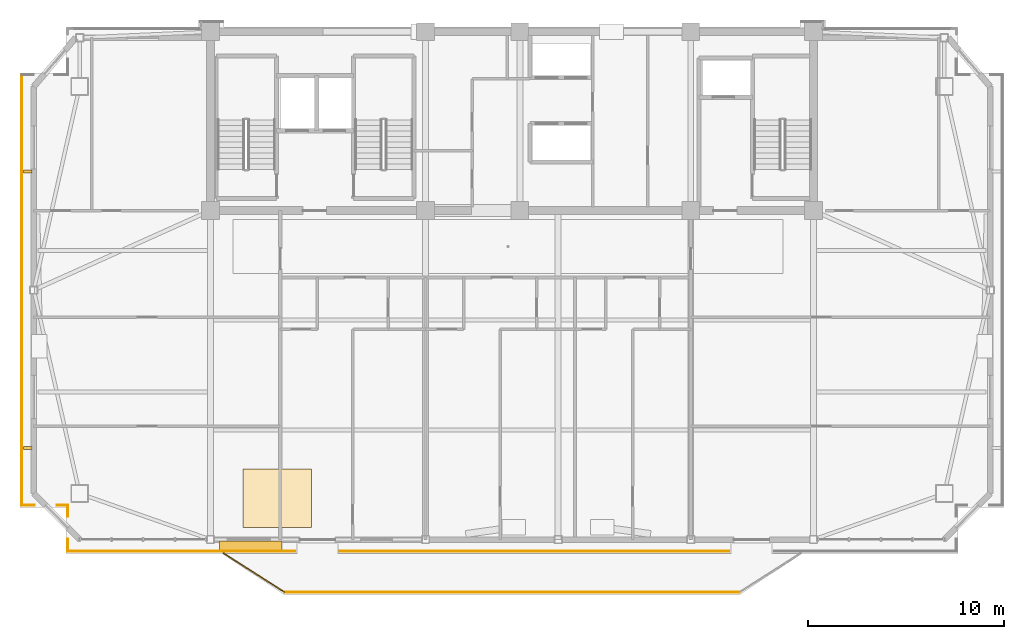
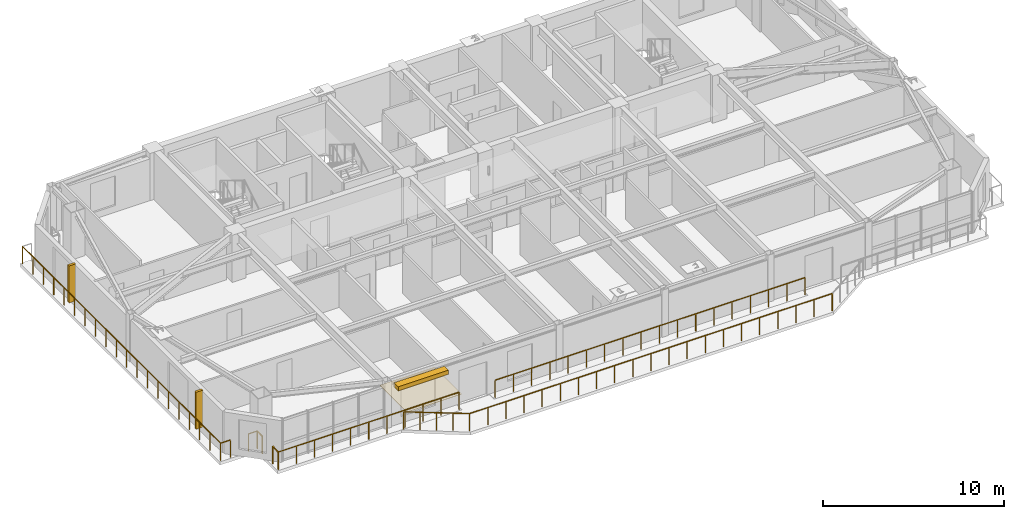
# One storey, part 11 of 14: 9 railings, 3 shading devices, 1 covering.
"""IFC4 building model written with IfcOpenShell, lengths in metres."""

import ifcopenshell
import ifcopenshell.guid

model = None  # the IFC model being written
_history = None  # IfcOwnerHistory: only IFC2X3 demands one
_inside = {}  # id of a spatial element -> (the spatial element, [elements in it])
_under = {}  # id of a project, library or spatial element -> (it, [spatial elements below it])
_declared = {}  # id of a project -> (the project, [libraries it declares])
_typed = {}  # id of a type object -> (the type object, [elements of that type])
_made_of = {}  # id of a material, layer set ... -> (it, [elements and type objects made of it])


def new_model(schema):
    """Start an empty IFC model of exactly this schema.

    Asked for "IFC4X3", IfcOpenShell would pick the latest addendum, in which some entities
    have other attributes; the version numbers below select the first issue.
    IFC2X3 requires an IfcOwnerHistory on every rooted entity: one is made here for all.
    """
    global model, _history
    if schema == "IFC4X3":
        model = ifcopenshell.file(schema_version=(4, 3, 0, 0))
    else:
        model = ifcopenshell.file(schema=schema)
    _inside.clear()
    _under.clear()
    _declared.clear()
    _typed.clear()
    _made_of.clear()
    _history = None
    if model.schema == "IFC2X3":
        org = make("IfcOrganization", Name="unknown")
        user = make(
            "IfcPersonAndOrganization",
            ThePerson=make("IfcPerson", FamilyName="unknown"),
            TheOrganization=org,
        )
        app = make(
            "IfcApplication",
            ApplicationDeveloper=org,
            Version="unknown",
            ApplicationFullName="unknown",
            ApplicationIdentifier="unknown",
        )
        _history = make(
            "IfcOwnerHistory",
            OwningUser=user,
            OwningApplication=app,
            ChangeAction="ADDED",
            CreationDate=0,
        )
    return model


def make(cls, **values):
    """One entity of the class cls with the attributes given. An attribute that is None is left unset."""
    return model.create_entity(
        cls, **{name: value for name, value in values.items() if value is not None}
    )


def rooted(cls, **values):
    """An entity with a GlobalId (a new one), such as an element, a storey or a relation."""
    return make(cls, GlobalId=ifcopenshell.guid.new(), OwnerHistory=_history, **values)


def si_unit(unit_type, name, prefix=None):
    """IfcSIUnit, for example si_unit("LENGTHUNIT", "METRE", prefix="MILLI")."""
    return make("IfcSIUnit", UnitType=unit_type, Prefix=prefix, Name=name)


def assignment(units):
    """IfcUnitAssignment: the units of a project."""
    return None if units is None else make("IfcUnitAssignment", Units=units)


def point(xyz):
    """IfcCartesianPoint."""
    return None if xyz is None else make("IfcCartesianPoint", Coordinates=xyz)


def direction(xyz):
    """IfcDirection."""
    return None if xyz is None else make("IfcDirection", DirectionRatios=xyz)


def frame(location, z_axis=None, x_axis=None):
    """IfcAxis2Placement3D, a coordinate frame: its origin and axes. An axis left out is left unset."""
    return make(
        "IfcAxis2Placement3D",
        Location=point(location),
        Axis=direction(z_axis),
        RefDirection=direction(x_axis),
    )


def frame_2d(location, x_axis=None):
    """IfcAxis2Placement2D, a coordinate frame in the plane: its origin and x axis."""
    return make(
        "IfcAxis2Placement2D", Location=point(location), RefDirection=direction(x_axis)
    )


def origin():
    """The frame at (0, 0, 0) with its axes left unset."""
    return frame((0.0, 0.0, 0.0))


def origin_2d():
    """The frame at (0, 0) in the plane with its x axis left unset."""
    return frame_2d((0.0, 0.0))


def place(relative_to, where):
    """IfcLocalPlacement: puts the frame where relative to a parent placement (None: the world)."""
    return make(
        "IfcLocalPlacement", PlacementRelTo=relative_to, RelativePlacement=where
    )


def context(
    kind, dimensions, precision=None, world=None, true_north=None, identifier=None
):
    """IfcGeometricRepresentationContext, for example the 3D "Model" context."""
    return make(
        "IfcGeometricRepresentationContext",
        ContextIdentifier=identifier,
        ContextType=kind,
        CoordinateSpaceDimension=dimensions,
        Precision=precision,
        WorldCoordinateSystem=world,
        TrueNorth=true_north,
    )


def subcontext(parent, identifier, kind, view, scale=None):
    """IfcGeometricRepresentationSubContext, for example "Body" below "Model"."""
    return make(
        "IfcGeometricRepresentationSubContext",
        ContextIdentifier=identifier,
        ContextType=kind,
        ParentContext=parent,
        TargetScale=scale,
        TargetView=view,
    )


def project(units=None, contexts=None):
    """IfcProject with its units and contexts."""
    return rooted(
        "IfcProject",
        Name="project",
        RepresentationContexts=contexts,
        UnitsInContext=assignment(units),
    )


def spatial(cls, under=None, at=None, **own):
    """A site, building, storey or space (cls), placed at a placement, below another one or the project."""
    s = rooted(cls, ObjectPlacement=at, **own)
    if under is not None:
        _under.setdefault(under.id(), (under, []))[1].append(s)
    return s


def polyline(points):
    """IfcPolyline through the points."""
    return make("IfcPolyline", Points=[point(p) for p in points])


def profile(cls, at=None, kind="AREA", **sizes):
    """A parametric profile (cls). Its sizes go by their IFC names, for example OverallWidth=200.0."""
    return make(cls, ProfileType=kind, Position=at, **sizes)


def rectangle(**sizes):
    """IfcRectangleProfileDef."""
    return profile("IfcRectangleProfileDef", **sizes)


def outline(outer, holes=None, kind="AREA"):
    """IfcArbitraryClosedProfileDef: a profile drawn as a closed curve; with holes, ...WithVoids."""
    if holes is None:
        return make("IfcArbitraryClosedProfileDef", ProfileType=kind, OuterCurve=outer)
    return make(
        "IfcArbitraryProfileDefWithVoids",
        ProfileType=kind,
        OuterCurve=outer,
        InnerCurves=holes,
    )


def extrude(swept, where, along, depth):
    """IfcExtrudedAreaSolid: the profile swept, set in the frame where, extruded along a direction by depth."""
    return make(
        "IfcExtrudedAreaSolid",
        SweptArea=swept,
        Position=where,
        ExtrudedDirection=direction(along),
        Depth=depth,
    )


def shape(context_of_items, identifier, shape_type, items):
    """IfcShapeRepresentation: the items that make up one representation, for example the "Body"."""
    return make(
        "IfcShapeRepresentation",
        ContextOfItems=context_of_items,
        RepresentationIdentifier=identifier,
        RepresentationType=shape_type,
        Items=items,
    )


def source(mapping_origin, context_of_items, identifier, shape_type, items):
    """IfcRepresentationMap: a shape defined once, which mapped items show again and again."""
    return make(
        "IfcRepresentationMap",
        MappingOrigin=mapping_origin,
        MappedRepresentation=shape(context_of_items, identifier, shape_type, items),
    )


def transform(
    local_origin,
    x_axis=None,
    y_axis=None,
    z_axis=None,
    scale=None,
    scale2=None,
    scale3=None,
    uniform=True,
):
    """IfcCartesianTransformationOperator3D, or its non-uniform kind. x_axis, y_axis, z_axis: its Axis1, 2, 3."""
    if uniform:
        return make(
            "IfcCartesianTransformationOperator3D",
            Axis1=direction(x_axis),
            Axis2=direction(y_axis),
            LocalOrigin=point(local_origin),
            Scale=scale,
            Axis3=direction(z_axis),
        )
    return make(
        "IfcCartesianTransformationOperator3DnonUniform",
        Axis1=direction(x_axis),
        Axis2=direction(y_axis),
        LocalOrigin=point(local_origin),
        Scale=scale,
        Axis3=direction(z_axis),
        Scale2=scale2,
        Scale3=scale3,
    )


def mapped(mapping_source, mapping_target):
    """IfcMappedItem: shows the shape of a source again, moved by a transform."""
    return make(
        "IfcMappedItem", MappingSource=mapping_source, MappingTarget=mapping_target
    )


def material(Name=None, Category=None):
    """IfcMaterial."""
    return make("IfcMaterial", Name=Name, Category=Category)


def layer(
    of_material, thickness, ventilated=None, Name=None, Category=None, Priority=None
):
    """IfcMaterialLayer: one layer of a wall or slab, of a material (None: an air gap)."""
    return make(
        "IfcMaterialLayer",
        Material=of_material,
        LayerThickness=thickness,
        IsVentilated=ventilated,
        Name=Name,
        Category=Category,
        Priority=Priority,
    )


def layer_set(layers, Name=None):
    """IfcMaterialLayerSet."""
    return make("IfcMaterialLayerSet", MaterialLayers=layers, LayerSetName=Name)


def made_of(thing, what):
    """Note that an element or type object is made of a material, layer set ...; save() writes the relation."""
    if what is not None:
        _made_of.setdefault(what.id(), (what, []))[1].append(thing)
    return thing


def type_object(cls, material=None, **own):
    """A type object (cls), such as IfcWallType, which elements share."""
    return made_of(rooted(cls, **own), material)


def element(
    cls,
    number,
    at=None,
    inside=None,
    cuts=None,
    type_object=None,
    material=None,
    context=None,
    identifier="Body",
    shape_type=None,
    held_by="IfcProductDefinitionShape",
    body=None,
    shapes=None,
    **own,
):
    """One element of the class cls, such as IfcWall. Its Tag is "e" and its number.

    at: its placement. inside: the storey or other place that contains it. cuts: it is an
    opening in that element (IfcRelVoidsElement). A single representation is given by context,
    identifier, shape_type and body (its items); several are given by shapes. held_by: the class
    of the entity that holds the representations. save() writes the other relations.
    """
    e = rooted(cls, Tag="e%d" % number, ObjectPlacement=at, **own)
    if body is not None:
        shapes = [shape(context, identifier, shape_type, body)]
    if shapes is not None:
        e.Representation = make(held_by, Representations=shapes)
    if inside is not None:
        _inside.setdefault(inside.id(), (inside, []))[1].append(e)
    if cuts is not None:
        rooted(
            "IfcRelVoidsElement", RelatingBuildingElement=cuts, RelatedOpeningElement=e
        )
    if type_object is not None:
        _typed.setdefault(type_object.id(), (type_object, []))[1].append(e)
    return made_of(e, material)


def aggregate(whole, parts):
    """IfcRelAggregates: a whole, such as a stair, and the parts it consists of."""
    return rooted("IfcRelAggregates", RelatingObject=whole, RelatedObjects=parts)


def save(model, path):
    """Write the relations noted so far, then the file.

    IfcRelAggregates (storeys below a building ...), IfcRelContainedInSpatialStructure (elements
    in a storey), IfcRelDefinesByType, IfcRelAssociatesMaterial and IfcRelDeclares: one each for
    every whole, place, type object, material and project.
    """
    for whole, parts in _under.values():
        aggregate(whole, parts)
    for where, things in _inside.values():
        rooted(
            "IfcRelContainedInSpatialStructure",
            RelatedElements=things,
            RelatingStructure=where,
        )
    for kind, things in _typed.values():
        rooted("IfcRelDefinesByType", RelatedObjects=things, RelatingType=kind)
    for what, things in _made_of.values():
        rooted("IfcRelAssociatesMaterial", RelatedObjects=things, RelatingMaterial=what)
    for by, libraries in _declared.values():
        rooted("IfcRelDeclares", RelatingContext=by, RelatedDefinitions=libraries)
    model.write(path)


model = new_model("IFC4")

# Units and contexts
model_context = context("Model", 3, precision=1e-05, world=origin(), true_north=direction((0.0, 1.0)))
body_context = subcontext(model_context, "Body", "Model", "MODEL_VIEW")
ifc_project = project(units=[si_unit("LENGTHUNIT", "METRE"), si_unit("AREAUNIT", "SQUARE_METRE"), si_unit("VOLUMEUNIT", "CUBIC_METRE"), si_unit("PLANEANGLEUNIT", "RADIAN"), si_unit("MASSUNIT", "GRAM", prefix="KILO")], contexts=[model_context])

# Site, building, storey
site_placement = place(None, origin())
site = spatial("IfcSite", under=ifc_project, at=site_placement, CompositionType="ELEMENT")
building_placement = place(site_placement, origin())
building = spatial("IfcBuilding", under=site, at=building_placement, Name="Giltprow Tower", CompositionType="ELEMENT")
storey_placement = place(building_placement, frame((0.0, 0.0, 317.60009765625)))
storey = spatial("IfcBuildingStorey", under=building, at=storey_placement, Name="L82", CompositionType="ELEMENT", Elevation=317.60009765625)

# Covering
ifc_material_1 = material(Name="Engineered oak", Category="wood")
ifc_layer = layer(ifc_material_1, 0.02490234375, Name="Engineered oak")
ifc_layer_set = layer_set([ifc_layer], Name="Engineered oak")
covering_type = type_object("IfcCoveringType", Name="COV-FLR-TIMBER", PredefinedType="FLOORING", material=ifc_layer_set)
covering_placement = place(storey_placement, origin())
element("IfcCovering", 1, at=covering_placement, inside=storey, type_object=covering_type, Name="L82 Residence Oak Parquet Flooring", PredefinedType="FLOORING", context=body_context, shape_type="SweptSolid", body=[
    extrude(outline(polyline([(21.5, 21.303955078125), (25.0, 21.303955078125), (25.0, 24.303955078125), (21.5, 24.303955078125), (21.5, 21.303955078125)])), origin(), (0.0, 0.0, 1.0), 0.02490234375),
])

# Railings
ifc_material_2 = material(Name="Anodized bronze", Category="metal")
railing_type = type_object("IfcRailingType", Name="RAIL-BALC-GUARD-1200", PredefinedType="BALUSTRADE", material=ifc_material_2)
railing_1_placement = place(storey_placement, frame((20.52001953125, 20.00390625, 0.0)))
element("IfcRailing", 2, at=railing_1_placement, inside=storey, type_object=railing_type, Name="L82 Waterfront Balcony Balustrade Seg 1", PredefinedType="BALUSTRADE", context=body_context, shape_type="SweptSolid", body=[
    extrude(rectangle(XDim=0.048095703125, YDim=0.048095703125, at=origin_2d()), frame((0.0, 0.0, 1.17578125), z_axis=(0.84277487735, -0.538266203757, 0.0), x_axis=(0.538266203757, 0.84277487735, 0.0)), (0.0, 0.0, 1.0), 3.678466796875),
    extrude(rectangle(XDim=0.0419921875, YDim=0.0419921875, at=origin_2d()), origin(), (0.0, 0.0, 1.0), 1.15185546875),
    extrude(rectangle(XDim=0.0419921875, YDim=0.0419921875, at=origin_2d()), frame((0.77490234375, -0.4951171875, 0.0)), (0.0, 0.0, 1.0), 1.15185546875),
    extrude(rectangle(XDim=0.0419921875, YDim=0.0419921875, at=origin_2d()), frame((1.550048828125, -0.989990234375, 0.0)), (0.0, 0.0, 1.0), 1.15185546875),
    extrude(rectangle(XDim=0.0419921875, YDim=0.0419921875, at=origin_2d()), frame((2.3251953125, -1.48486328125, 0.0)), (0.0, 0.0, 1.0), 1.15185546875),
    extrude(rectangle(XDim=0.0419921875, YDim=0.0419921875, at=origin_2d()), frame((3.10009765625, -1.97998046875, 0.0)), (0.0, 0.0, 1.0), 1.15185546875),
])
railing_2_placement = place(storey_placement, frame((23.6201171875, 18.02392578125, 0.0)))
element("IfcRailing", 3, at=railing_2_placement, inside=storey, type_object=railing_type, Name="L82 Waterfront Balcony Balustrade Seg 2", PredefinedType="BALUSTRADE", context=body_context, shape_type="SweptSolid", body=[
    extrude(rectangle(XDim=0.048095703125, YDim=0.048095703125, at=origin_2d()), frame((0.0, 0.0, 1.17578125), z_axis=(1.0, 0.0, 0.0), x_axis=(0.0, 1.0, 0.0)), (0.0, 0.0, 1.0), 23.159912109375),
    extrude(rectangle(XDim=0.0419921875, YDim=0.0419921875, at=origin_2d()), origin(), (0.0, 0.0, 1.0), 1.15185546875),
    extrude(rectangle(XDim=0.0419921875, YDim=0.0419921875, at=origin_2d()), frame((1.157958984375, 0.0, 0.0)), (0.0, 0.0, 1.0), 1.15185546875),
    extrude(rectangle(XDim=0.0419921875, YDim=0.0419921875, at=origin_2d()), frame((2.31591796875, 0.0, 0.0)), (0.0, 0.0, 1.0), 1.15185546875),
    extrude(rectangle(XDim=0.0419921875, YDim=0.0419921875, at=origin_2d()), frame((3.473876953125, 0.0, 0.0)), (0.0, 0.0, 1.0), 1.15185546875),
    extrude(rectangle(XDim=0.0419921875, YDim=0.0419921875, at=origin_2d()), frame((4.632080078125, 0.0, 0.0)), (0.0, 0.0, 1.0), 1.15185546875),
    extrude(rectangle(XDim=0.0419921875, YDim=0.0419921875, at=origin_2d()), frame((5.7900390625, 0.0, 0.0)), (0.0, 0.0, 1.0), 1.15185546875),
    extrude(rectangle(XDim=0.0419921875, YDim=0.0419921875, at=origin_2d()), frame((6.947998046875, 0.0, 0.0)), (0.0, 0.0, 1.0), 1.15185546875),
    extrude(rectangle(XDim=0.0419921875, YDim=0.0419921875, at=origin_2d()), frame((8.10595703125, 0.0, 0.0)), (0.0, 0.0, 1.0), 1.15185546875),
    extrude(rectangle(XDim=0.0419921875, YDim=0.0419921875, at=origin_2d()), frame((9.263916015625, 0.0, 0.0)), (0.0, 0.0, 1.0), 1.15185546875),
    extrude(rectangle(XDim=0.0419921875, YDim=0.0419921875, at=origin_2d()), frame((10.421875, 0.0, 0.0)), (0.0, 0.0, 1.0), 1.15185546875),
    extrude(rectangle(XDim=0.0419921875, YDim=0.0419921875, at=origin_2d()), frame((11.580078125, 0.0, 0.0)), (0.0, 0.0, 1.0), 1.15185546875),
    extrude(rectangle(XDim=0.0419921875, YDim=0.0419921875, at=origin_2d()), frame((12.738037109375, 0.0, 0.0)), (0.0, 0.0, 1.0), 1.15185546875),
    extrude(rectangle(XDim=0.0419921875, YDim=0.0419921875, at=origin_2d()), frame((13.89599609375, 0.0, 0.0)), (0.0, 0.0, 1.0), 1.15185546875),
    extrude(rectangle(XDim=0.0419921875, YDim=0.0419921875, at=origin_2d()), frame((15.053955078125, 0.0, 0.0)), (0.0, 0.0, 1.0), 1.15185546875),
    extrude(rectangle(XDim=0.0419921875, YDim=0.0419921875, at=origin_2d()), frame((16.2119140625, 0.0, 0.0)), (0.0, 0.0, 1.0), 1.15185546875),
    extrude(rectangle(XDim=0.0419921875, YDim=0.0419921875, at=origin_2d()), frame((17.369873046875, 0.0, 0.0)), (0.0, 0.0, 1.0), 1.15185546875),
    extrude(rectangle(XDim=0.0419921875, YDim=0.0419921875, at=origin_2d()), frame((18.52783203125, 0.0, 0.0)), (0.0, 0.0, 1.0), 1.15185546875),
    extrude(rectangle(XDim=0.0419921875, YDim=0.0419921875, at=origin_2d()), frame((19.68603515625, 0.0, 0.0)), (0.0, 0.0, 1.0), 1.15185546875),
    extrude(rectangle(XDim=0.0419921875, YDim=0.0419921875, at=origin_2d()), frame((20.843994140625, 0.0, 0.0)), (0.0, 0.0, 1.0), 1.15185546875),
    extrude(rectangle(XDim=0.0419921875, YDim=0.0419921875, at=origin_2d()), frame((22.001953125, 0.0, 0.0)), (0.0, 0.0, 1.0), 1.15185546875),
    extrude(rectangle(XDim=0.0419921875, YDim=0.0419921875, at=origin_2d()), frame((23.159912109375, 0.0, 0.0)), (0.0, 0.0, 1.0), 1.15185546875),
])
railing_3_placement = place(storey_placement, frame((46.25, 20.10400390625, 0.0)))
element("IfcRailing", 4, at=railing_3_placement, inside=storey, type_object=railing_type, Name="L82 Corner Apron Edge Balustrade 7", PredefinedType="BALUSTRADE", context=body_context, shape_type="SweptSolid", body=[
    extrude(rectangle(XDim=0.048095703125, YDim=0.048095703125, at=origin_2d()), frame((0.0, 0.0, 1.17578125), z_axis=(-1.0, 0.0, 0.0), x_axis=(0.0, -1.0, 0.0)), (0.0, 0.0, 1.0), 19.800048828125),
    extrude(rectangle(XDim=0.0419921875, YDim=0.0419921875, at=origin_2d()), origin(), (0.0, 0.0, 1.0), 1.15185546875),
    extrude(rectangle(XDim=0.0419921875, YDim=0.0419921875, at=origin_2d()), frame((-1.164794921875, 0.0, 0.0)), (0.0, 0.0, 1.0), 1.15185546875),
    extrude(rectangle(XDim=0.0419921875, YDim=0.0419921875, at=origin_2d()), frame((-2.329345703125, 0.0, 0.0)), (0.0, 0.0, 1.0), 1.15185546875),
    extrude(rectangle(XDim=0.0419921875, YDim=0.0419921875, at=origin_2d()), frame((-3.494140625, 0.0, 0.0)), (0.0, 0.0, 1.0), 1.15185546875),
    extrude(rectangle(XDim=0.0419921875, YDim=0.0419921875, at=origin_2d()), frame((-4.658935546875, 0.0, 0.0)), (0.0, 0.0, 1.0), 1.15185546875),
    extrude(rectangle(XDim=0.0419921875, YDim=0.0419921875, at=origin_2d()), frame((-5.823486328125, 0.0, 0.0)), (0.0, 0.0, 1.0), 1.15185546875),
    extrude(rectangle(XDim=0.0419921875, YDim=0.0419921875, at=origin_2d()), frame((-6.98828125, 0.0, 0.0)), (0.0, 0.0, 1.0), 1.15185546875),
    extrude(rectangle(XDim=0.0419921875, YDim=0.0419921875, at=origin_2d()), frame((-8.153076171875, 0.0, 0.0)), (0.0, 0.0, 1.0), 1.15185546875),
    extrude(rectangle(XDim=0.0419921875, YDim=0.0419921875, at=origin_2d()), frame((-9.317626953125, 0.0, 0.0)), (0.0, 0.0, 1.0), 1.15185546875),
    extrude(rectangle(XDim=0.0419921875, YDim=0.0419921875, at=origin_2d()), frame((-10.482421875, 0.0, 0.0)), (0.0, 0.0, 1.0), 1.15185546875),
    extrude(rectangle(XDim=0.0419921875, YDim=0.0419921875, at=origin_2d()), frame((-11.64697265625, 0.0, 0.0)), (0.0, 0.0, 1.0), 1.15185546875),
    extrude(rectangle(XDim=0.0419921875, YDim=0.0419921875, at=origin_2d()), frame((-12.811767578125, 0.0, 0.0)), (0.0, 0.0, 1.0), 1.15185546875),
    extrude(rectangle(XDim=0.0419921875, YDim=0.0419921875, at=origin_2d()), frame((-13.9765625, 0.0, 0.0)), (0.0, 0.0, 1.0), 1.15185546875),
    extrude(rectangle(XDim=0.0419921875, YDim=0.0419921875, at=origin_2d()), frame((-15.14111328125, 0.0, 0.0)), (0.0, 0.0, 1.0), 1.15185546875),
    extrude(rectangle(XDim=0.0419921875, YDim=0.0419921875, at=origin_2d()), frame((-16.305908203125, 0.0, 0.0)), (0.0, 0.0, 1.0), 1.15185546875),
    extrude(rectangle(XDim=0.0419921875, YDim=0.0419921875, at=origin_2d()), frame((-17.470703125, 0.0, 0.0)), (0.0, 0.0, 1.0), 1.15185546875),
    extrude(rectangle(XDim=0.0419921875, YDim=0.0419921875, at=origin_2d()), frame((-18.63525390625, 0.0, 0.0)), (0.0, 0.0, 1.0), 1.15185546875),
    extrude(rectangle(XDim=0.0419921875, YDim=0.0419921875, at=origin_2d()), frame((-19.800048828125, 0.0, 0.0)), (0.0, 0.0, 1.0), 1.15185546875),
])
railing_4_placement = place(storey_placement, frame((24.14990234375, 20.10400390625, 0.0)))
element("IfcRailing", 5, at=railing_4_placement, inside=storey, type_object=railing_type, Name="L82 Corner Apron Edge Balustrade 8", PredefinedType="BALUSTRADE", context=body_context, shape_type="SweptSolid", body=[
    extrude(rectangle(XDim=0.048095703125, YDim=0.048095703125, at=origin_2d()), frame((0.0, 0.0, 1.17578125), z_axis=(-1.0, 0.0, 0.0), x_axis=(0.0, -1.0, 0.0)), (0.0, 0.0, 1.0), 11.556884765625),
    extrude(rectangle(XDim=0.0419921875, YDim=0.0419921875, at=origin_2d()), origin(), (0.0, 0.0, 1.0), 1.15185546875),
    extrude(rectangle(XDim=0.0419921875, YDim=0.0419921875, at=origin_2d()), frame((-1.15576171875, 0.0, 0.0)), (0.0, 0.0, 1.0), 1.15185546875),
    extrude(rectangle(XDim=0.0419921875, YDim=0.0419921875, at=origin_2d()), frame((-2.311279296875, 0.0, 0.0)), (0.0, 0.0, 1.0), 1.15185546875),
    extrude(rectangle(XDim=0.0419921875, YDim=0.0419921875, at=origin_2d()), frame((-3.467041015625, 0.0, 0.0)), (0.0, 0.0, 1.0), 1.15185546875),
    extrude(rectangle(XDim=0.0419921875, YDim=0.0419921875, at=origin_2d()), frame((-4.622802734375, 0.0, 0.0)), (0.0, 0.0, 1.0), 1.15185546875),
    extrude(rectangle(XDim=0.0419921875, YDim=0.0419921875, at=origin_2d()), frame((-5.7783203125, 0.0, 0.0)), (0.0, 0.0, 1.0), 1.15185546875),
    extrude(rectangle(XDim=0.0419921875, YDim=0.0419921875, at=origin_2d()), frame((-6.93408203125, 0.0, 0.0)), (0.0, 0.0, 1.0), 1.15185546875),
    extrude(rectangle(XDim=0.0419921875, YDim=0.0419921875, at=origin_2d()), frame((-8.08984375, 0.0, 0.0)), (0.0, 0.0, 1.0), 1.15185546875),
    extrude(rectangle(XDim=0.0419921875, YDim=0.0419921875, at=origin_2d()), frame((-9.24560546875, 0.0, 0.0)), (0.0, 0.0, 1.0), 1.15185546875),
    extrude(rectangle(XDim=0.0419921875, YDim=0.0419921875, at=origin_2d()), frame((-10.401123046875, 0.0, 0.0)), (0.0, 0.0, 1.0), 1.15185546875),
    extrude(rectangle(XDim=0.0419921875, YDim=0.0419921875, at=origin_2d()), frame((-11.556884765625, 0.0, 0.0)), (0.0, 0.0, 1.0), 1.15185546875),
])
railing_5_placement = place(storey_placement, frame((12.593017578125, 20.10400390625, 0.0)))
element("IfcRailing", 6, at=railing_5_placement, inside=storey, type_object=railing_type, Name="L82 Corner Apron Edge Balustrade 9", PredefinedType="BALUSTRADE", context=body_context, shape_type="SweptSolid", body=[
    extrude(rectangle(XDim=0.048095703125, YDim=0.048095703125, at=origin_2d()), frame((0.0, 0.0, 1.17578125), z_axis=(0.0, 1.0, 0.0), x_axis=(-1.0, 0.0, 0.0)), (0.0, 0.0, 1.0), 0.6201171875),
    extrude(rectangle(XDim=0.0419921875, YDim=0.0419921875, at=origin_2d()), origin(), (0.0, 0.0, 1.0), 1.15185546875),
    extrude(rectangle(XDim=0.0419921875, YDim=0.0419921875, at=origin_2d()), frame((0.0, 0.6201171875, 0.0)), (0.0, 0.0, 1.0), 1.15185546875),
])
railing_6_placement = place(storey_placement, frame((12.593017578125, 21.884033203125, 0.0)))
element("IfcRailing", 7, at=railing_6_placement, inside=storey, type_object=railing_type, Name="L82 Corner Apron Edge Balustrade 10", PredefinedType="BALUSTRADE", context=body_context, shape_type="SweptSolid", body=[
    extrude(rectangle(XDim=0.048095703125, YDim=0.048095703125, at=origin_2d()), frame((0.0, 0.0, 1.17578125), z_axis=(0.0, 1.0, 0.0), x_axis=(-1.0, 0.0, 0.0)), (0.0, 0.0, 1.0), 0.557861328125),
    extrude(rectangle(XDim=0.0419921875, YDim=0.0419921875, at=origin_2d()), origin(), (0.0, 0.0, 1.0), 1.15185546875),
    extrude(rectangle(XDim=0.0419921875, YDim=0.0419921875, at=origin_2d()), frame((0.0, 0.557861328125, 0.0)), (0.0, 0.0, 1.0), 1.15185546875),
])
railing_7_placement = place(storey_placement, frame((12.593017578125, 22.44189453125, 0.0)))
element("IfcRailing", 8, at=railing_7_placement, inside=storey, type_object=railing_type, Name="L82 Corner Apron Edge Balustrade 11", PredefinedType="BALUSTRADE", context=body_context, shape_type="SweptSolid", body=[
    extrude(rectangle(XDim=0.048095703125, YDim=0.048095703125, at=origin_2d()), frame((0.0, 0.0, 1.17578125), z_axis=(-1.0, 0.0, 0.0), x_axis=(0.0, -1.0, 0.0)), (0.0, 0.0, 1.0), 0.55810546875),
    extrude(rectangle(XDim=0.0419921875, YDim=0.0419921875, at=origin_2d()), origin(), (0.0, 0.0, 1.0), 1.15185546875),
    extrude(rectangle(XDim=0.0419921875, YDim=0.0419921875, at=origin_2d()), frame((-0.55810546875, 0.0, 0.0)), (0.0, 0.0, 1.0), 1.15185546875),
])
railing_8_placement = place(storey_placement, frame((10.875, 22.44189453125, 0.0)))
element("IfcRailing", 9, at=railing_8_placement, inside=storey, type_object=railing_type, Name="L82 Corner Apron Edge Balustrade 12", PredefinedType="BALUSTRADE", context=body_context, shape_type="SweptSolid", body=[
    extrude(rectangle(XDim=0.048095703125, YDim=0.048095703125, at=origin_2d()), frame((0.0, 0.0, 1.17578125), z_axis=(-1.0, 0.0, 0.0), x_axis=(0.0, -1.0, 0.0)), (0.0, 0.0, 1.0), 0.6201171875),
    extrude(rectangle(XDim=0.0419921875, YDim=0.0419921875, at=origin_2d()), origin(), (0.0, 0.0, 1.0), 1.15185546875),
    extrude(rectangle(XDim=0.0419921875, YDim=0.0419921875, at=origin_2d()), frame((-0.6201171875, 0.0, 0.0)), (0.0, 0.0, 1.0), 1.15185546875),
])
railing_9_placement = place(storey_placement, frame((10.2548828125, 22.44189453125, 0.0)))
element("IfcRailing", 10, at=railing_9_placement, inside=storey, type_object=railing_type, Name="L82 Corner Apron Edge Balustrade 13", PredefinedType="BALUSTRADE", context=body_context, shape_type="SweptSolid", body=[
    extrude(rectangle(XDim=0.048095703125, YDim=0.048095703125, at=origin_2d()), frame((0.0, 0.0, 1.17578125), z_axis=(0.0, 1.0, 0.0), x_axis=(-1.0, 0.0, 0.0)), (0.0, 0.0, 1.0), 21.920166015625),
    extrude(rectangle(XDim=0.0419921875, YDim=0.0419921875, at=origin_2d()), origin(), (0.0, 0.0, 1.0), 1.15185546875),
    extrude(rectangle(XDim=0.0419921875, YDim=0.0419921875, at=origin_2d()), frame((0.0, 1.15380859375, 0.0)), (0.0, 0.0, 1.0), 1.15185546875),
    extrude(rectangle(XDim=0.0419921875, YDim=0.0419921875, at=origin_2d()), frame((0.0, 2.307373046875, 0.0)), (0.0, 0.0, 1.0), 1.15185546875),
    extrude(rectangle(XDim=0.0419921875, YDim=0.0419921875, at=origin_2d()), frame((0.0, 3.461181640625, 0.0)), (0.0, 0.0, 1.0), 1.15185546875),
    extrude(rectangle(XDim=0.0419921875, YDim=0.0419921875, at=origin_2d()), frame((0.0, 4.61474609375, 0.0)), (0.0, 0.0, 1.0), 1.15185546875),
    extrude(rectangle(XDim=0.0419921875, YDim=0.0419921875, at=origin_2d()), frame((0.0, 5.7685546875, 0.0)), (0.0, 0.0, 1.0), 1.15185546875),
    extrude(rectangle(XDim=0.0419921875, YDim=0.0419921875, at=origin_2d()), frame((0.0, 6.922119140625, 0.0)), (0.0, 0.0, 1.0), 1.15185546875),
    extrude(rectangle(XDim=0.0419921875, YDim=0.0419921875, at=origin_2d()), frame((0.0, 8.075927734375, 0.0)), (0.0, 0.0, 1.0), 1.15185546875),
    extrude(rectangle(XDim=0.0419921875, YDim=0.0419921875, at=origin_2d()), frame((0.0, 9.2294921875, 0.0)), (0.0, 0.0, 1.0), 1.15185546875),
    extrude(rectangle(XDim=0.0419921875, YDim=0.0419921875, at=origin_2d()), frame((0.0, 10.38330078125, 0.0)), (0.0, 0.0, 1.0), 1.15185546875),
    extrude(rectangle(XDim=0.0419921875, YDim=0.0419921875, at=origin_2d()), frame((0.0, 11.536865234375, 0.0)), (0.0, 0.0, 1.0), 1.15185546875),
    extrude(rectangle(XDim=0.0419921875, YDim=0.0419921875, at=origin_2d()), frame((0.0, 12.690673828125, 0.0)), (0.0, 0.0, 1.0), 1.15185546875),
    extrude(rectangle(XDim=0.0419921875, YDim=0.0419921875, at=origin_2d()), frame((0.0, 13.84423828125, 0.0)), (0.0, 0.0, 1.0), 1.15185546875),
    extrude(rectangle(XDim=0.0419921875, YDim=0.0419921875, at=origin_2d()), frame((0.0, 14.998046875, 0.0)), (0.0, 0.0, 1.0), 1.15185546875),
    extrude(rectangle(XDim=0.0419921875, YDim=0.0419921875, at=origin_2d()), frame((0.0, 16.151611328125, 0.0)), (0.0, 0.0, 1.0), 1.15185546875),
    extrude(rectangle(XDim=0.0419921875, YDim=0.0419921875, at=origin_2d()), frame((0.0, 17.305419921875, 0.0)), (0.0, 0.0, 1.0), 1.15185546875),
    extrude(rectangle(XDim=0.0419921875, YDim=0.0419921875, at=origin_2d()), frame((0.0, 18.458984375, 0.0)), (0.0, 0.0, 1.0), 1.15185546875),
    extrude(rectangle(XDim=0.0419921875, YDim=0.0419921875, at=origin_2d()), frame((0.0, 19.61279296875, 0.0)), (0.0, 0.0, 1.0), 1.15185546875),
    extrude(rectangle(XDim=0.0419921875, YDim=0.0419921875, at=origin_2d()), frame((0.0, 20.766357421875, 0.0)), (0.0, 0.0, 1.0), 1.15185546875),
    extrude(rectangle(XDim=0.0419921875, YDim=0.0419921875, at=origin_2d()), frame((0.0, 21.920166015625, 0.0)), (0.0, 0.0, 1.0), 1.15185546875),
])

# Shading devices
shading_device_type_1 = type_object("IfcShadingDeviceType", Name="SHD-FIN-420", PredefinedType="USERDEFINED", material=ifc_material_2)
shared_shape_1 = source(origin(), body_context, "Body", "SweptSolid", [
    extrude(rectangle(XDim=0.419921875, YDim=0.159912109375, at=origin_2d()), origin(), (0.0, 0.0, 1.0), 2.5),
])
for number, where, z_axis, x_axis, name in (
    (11, (10.554931640625, 25.3701171875, 0.349853515625), (0.0, 0.0, 1.0), (1.0, 0.0, 0.0), "L82 W Bronze Vertical Fin 1-1"),
    (12, (10.554931640625, 39.43701171875, 0.349853515625), (0.0, 0.0, 1.0), (1.0, 0.0, 0.0), "L82 W Bronze Vertical Fin 2-1"),
):
    element("IfcShadingDevice", number, at=place(storey_placement, frame(where, z_axis=z_axis, x_axis=x_axis)), inside=storey, type_object=shading_device_type_1, Name=name, ObjectType="FIN", PredefinedType="USERDEFINED", context=body_context, shape_type="MappedRepresentation", body=[
        mapped(shared_shape_1, transform((0.0, 0.0, 0.0), x_axis=(1.0, 0.0, 0.0), y_axis=(0.0, 1.0, 0.0), z_axis=(0.0, 0.0, 1.0), scale=1.0)),
    ])
shading_device_type_2 = type_object("IfcShadingDeviceType", Name="SHD-LOUVRE-320", PredefinedType="JALOUSIE", material=ifc_material_2)
shared_shape_2 = source(origin(), body_context, "Body", "SweptSolid", [
    extrude(rectangle(XDim=3.199951171875, YDim=0.449951171875, at=origin_2d()), origin(), (0.0, 0.0, 1.0), 0.280029296875),
])
shading_device_placement = place(storey_placement, frame((21.89990234375, 20.404052734375, 2.56005859375), z_axis=(0.0, 0.0, 1.0), x_axis=(1.0, 0.0, 0.0)))
element("IfcShadingDevice", 13, at=shading_device_placement, inside=storey, type_object=shading_device_type_2, Name="L82 Bronze Sunshade Louvre S-2", PredefinedType="JALOUSIE", context=body_context, shape_type="MappedRepresentation", body=[
    mapped(shared_shape_2, transform((0.0, 0.0, 0.0), x_axis=(1.0, 0.0, 0.0), y_axis=(0.0, 1.0, 0.0), z_axis=(0.0, 0.0, 1.0), scale=1.0)),
])

save(model, "model.ifc")
